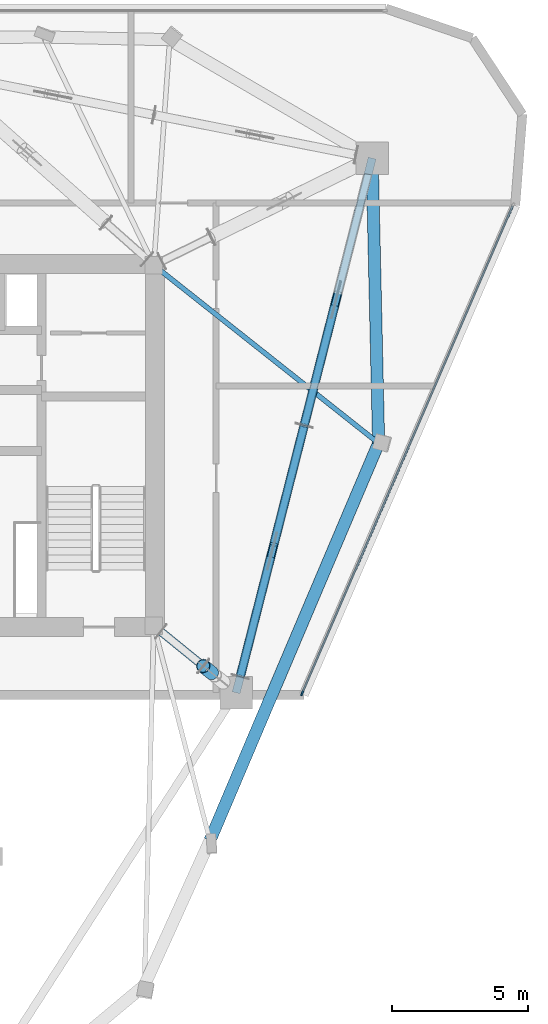
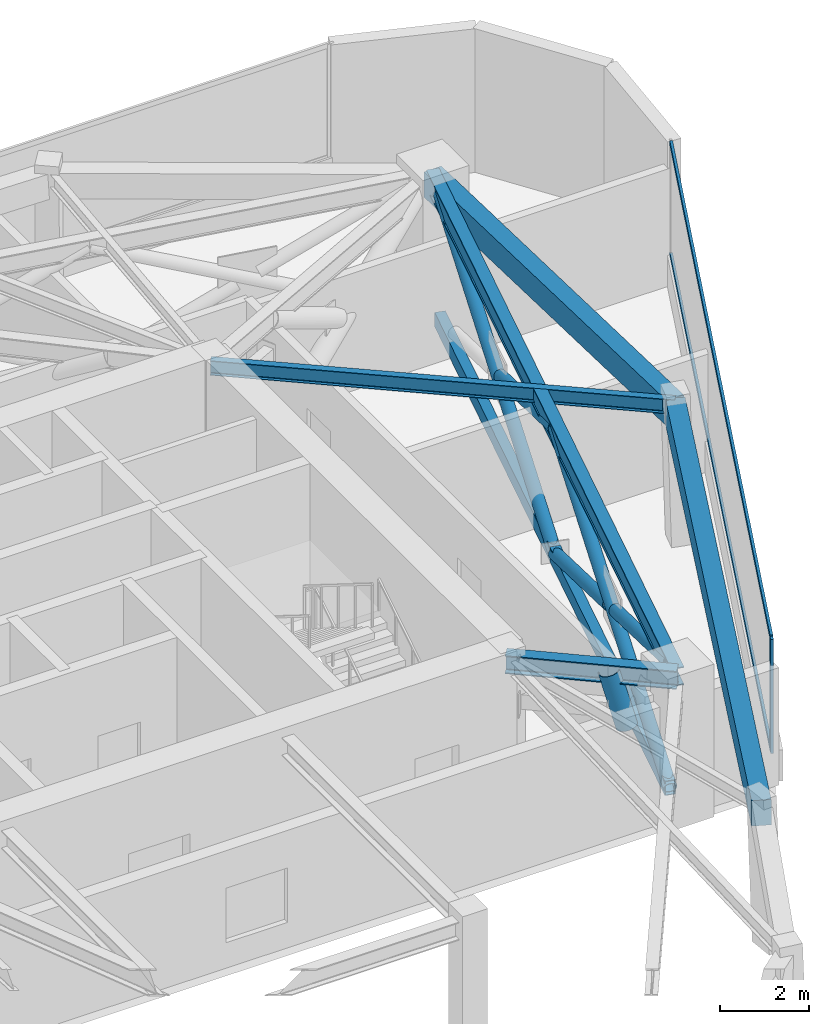
# One storey, part 3 of 9: 13 members, 5 beams, 1 element without a shape of its own.
"""IFC4 building model written with IfcOpenShell, lengths in metres."""

from ifc_helpers import new_model, si_unit, direction, frame, origin, origin_2d, place, context, subcontext, project, spatial, rectangle, hollow_rectangle, hollow_circle, i_section, extrude, material, layer, layer_set, material_profile, profile_set, type_object, element, aggregate, save


model = new_model("IFC4")

# Units and contexts
model_context = context("Model", 3, precision=1e-05, world=origin(), true_north=direction((0.0, 1.0)))
body_context = subcontext(model_context, "Body", "Model", "MODEL_VIEW")
ifc_project = project(units=[si_unit("LENGTHUNIT", "METRE"), si_unit("AREAUNIT", "SQUARE_METRE"), si_unit("VOLUMEUNIT", "CUBIC_METRE"), si_unit("PLANEANGLEUNIT", "RADIAN"), si_unit("MASSUNIT", "GRAM", prefix="KILO")], contexts=[model_context])

# Site, building, storey
site_placement = place(None, origin())
site = spatial("IfcSite", under=ifc_project, at=site_placement, CompositionType="ELEMENT")
building_placement = place(site_placement, origin())
building = spatial("IfcBuilding", under=site, at=building_placement, Name="Talyreon Biosciences Tower", CompositionType="ELEMENT")
storey_placement = place(building_placement, frame((0.0, 0.0, 279.60009765625)))
storey = spatial("IfcBuildingStorey", under=building, at=storey_placement, Name="L74", CompositionType="ELEMENT", Elevation=279.60009765625)

# Members
ifc_material_1 = material(Name="Steel SM355", Category="steel")
ifc_material_profile_1 = material_profile(ifc_material_1, hollow_rectangle(XDim=0.25, YDim=0.39990234375, WallThickness=0.01611328125, at=origin_2d()), Name="RHS 400x250x16")
ifc_profile_set_1 = profile_set([ifc_material_profile_1], Name="Steel SM355")
member_type_1 = type_object("IfcMemberType", Name="BeltChord_RHS400x250", PredefinedType="CHORD", material=ifc_profile_set_1)
for number, where, z_axis, x_axis, name in (
    (1, (77.236572265625, 59.4716796875, 0.239990234375), (0.246540216186, 0.969132561522, 0.0), (-0.969132561522, 0.246540216186, 0.0), "L74 Truss Bottom Chord BELT-L74-B2S1"),
    (2, (77.236572265625, 59.4716796875, 3.699951171875), (0.246540216186, 0.969132561522, 0.0), (-0.969132561522, 0.246540216186, 0.0), "L74 Truss Top Chord BELT-L74-B2S1"),
):
    element("IfcMember", number, at=place(storey_placement, frame(where, z_axis=z_axis, x_axis=x_axis)), inside=storey, type_object=member_type_1, Name=name, PredefinedType="CHORD", context=body_context, shape_type="SweptSolid", body=[
        extrude(hollow_rectangle(XDim=0.25, YDim=0.39990234375, WallThickness=0.01611328125, at=origin_2d()), origin(), (0.0, 0.0, 1.0), 9.56298828125),
    ])
for number, where, z_axis, x_axis, name in (
    (3, (79.59423828125, 68.739501953125, 0.239990234375), (0.246534116519, 0.969134113213, 0.0), (-0.969134113213, 0.246534116519, 0.0), "L74 Truss Bottom Chord BELT-L74-B2S2"),
    (4, (79.59423828125, 68.739501953125, 3.699951171875), (0.246534116519, 0.969134113213, 0.0), (-0.969134113213, 0.246534116519, 0.0), "L74 Truss Top Chord BELT-L74-B2S2"),
):
    element("IfcMember", number, at=place(storey_placement, frame(where, z_axis=z_axis, x_axis=x_axis)), inside=storey, type_object=member_type_1, Name=name, PredefinedType="CHORD", context=body_context, shape_type="SweptSolid", body=[
        extrude(hollow_rectangle(XDim=0.25, YDim=0.39990234375, WallThickness=0.01611328125, at=origin_2d()), origin(), (0.0, 0.0, 1.0), 9.563232421875),
    ])

# Curtain wall, members
ifc_material_2 = material(Name="Thermally broken aluminium and low-E glazing", Category="aluminium")
ifc_layer = layer(ifc_material_2, 0.175048828125)
ifc_layer_set = layer_set([ifc_layer], Name="Thermally broken aluminium and low-E glazing")
curtain_wall_type = type_object("IfcCurtainWallType", Name="CurtainWall_Zone5CompLab", PredefinedType="NOTDEFINED", material=ifc_layer_set)
curtain_wall_placement = place(storey_placement, origin())
curtain_wall = element("IfcCurtainWall", 5, at=curtain_wall_placement, inside=storey, type_object=curtain_wall_type, Name="L74 Unitised Curtain Wall FCW-L74-07", PredefinedType="NOTDEFINED")
ifc_material_3 = material(Name="Anodised thermally broken aluminium", Category="aluminium")
ifc_material_profile_2 = material_profile(ifc_material_3, rectangle(XDim=0.06494140625, YDim=0.179931640625, at=origin_2d()), Name="ALUM MULLION 65x180")
ifc_profile_set_2 = profile_set([ifc_material_profile_2], Name="Anodised thermally broken aluminium")
member_type_2 = type_object("IfcMemberType", Name="CWMullion_65x180", PredefinedType="MULLION", material=ifc_profile_set_2)
member_1_placement = place(storey_placement, frame((79.52197265625, 58.861572265625, 0.809814453125), z_axis=(0.0, 0.0, 1.0), x_axis=(0.918021763475, -0.396530001116, 0.0)))
member_1 = element("IfcMember", 6, at=member_1_placement, type_object=member_type_2, Name="CW6 mullion 2", PredefinedType="MULLION", context=body_context, shape_type="SweptSolid", body=[
    extrude(rectangle(XDim=0.06494140625, YDim=0.179931640625, at=origin_2d()), origin(), (0.0, 0.0, 1.0), 3.14013671875),
])
ifc_material_profile_3 = material_profile(ifc_material_3, rectangle(XDim=0.06494140625, YDim=0.139892578125, at=origin_2d()), Name="ALUM TRANSOM 65x140")
ifc_profile_set_3 = profile_set([ifc_material_profile_3], Name="Anodised thermally broken aluminium")
member_type_3 = type_object("IfcMemberType", Name="CWTransom_65x140", PredefinedType="USERDEFINED", material=ifc_profile_set_3)
member_2_placement = place(storey_placement, frame((87.2822265625, 76.827392578125, 0.84228515625), z_axis=(-0.396531280855, -0.918021210705, 0.0), x_axis=(0.918021210705, -0.396531280855, 0.0)))
member_2 = element("IfcMember", 7, at=member_2_placement, type_object=member_type_3, Name="CW6 transom 1.1", ObjectType="TRANSOM", PredefinedType="USERDEFINED", context=body_context, shape_type="SweptSolid", body=[
    extrude(rectangle(XDim=0.06494140625, YDim=0.139892578125, at=origin_2d()), origin(), (0.0, 0.0, 1.0), 19.53759765625),
])
member_3_placement = place(storey_placement, frame((87.2822265625, 76.827392578125, 3.91748046875), z_axis=(-0.396531280855, -0.918021210705, 0.0), x_axis=(0.918021210705, -0.396531280855, 0.0)))
member_3 = element("IfcMember", 8, at=member_3_placement, type_object=member_type_3, Name="CW6 transom 1.2", ObjectType="TRANSOM", PredefinedType="USERDEFINED", context=body_context, shape_type="SweptSolid", body=[
    extrude(rectangle(XDim=0.06494140625, YDim=0.139892578125, at=origin_2d()), origin(), (0.0, 0.0, 1.0), 19.53759765625),
])
aggregate(curtain_wall, [member_1, member_2, member_3])

# Beams
ifc_material_4 = material(Name="Precast concrete C45/55", Category="concrete")
ifc_material_profile_4 = material_profile(ifc_material_4, rectangle(XDim=0.449951171875, YDim=0.699951171875, at=origin_2d()), Name="RCB 450x700")
ifc_profile_set_4 = profile_set([ifc_material_profile_4], Name="Precast concrete C45/55")
beam_type_1 = type_object("IfcBeamType", Name="ExpressedSpandrel_450x700", PredefinedType="SPANDREL", material=ifc_profile_set_4)
beam_1_placement = place(storey_placement, frame((76.12060546875, 53.43310546875, 3.599853515625), z_axis=(0.390758621241, 0.920493182987, 0.0), x_axis=(-0.920493182987, 0.390758621241, 0.0)))
element("IfcBeam", 9, at=beam_1_placement, inside=storey, type_object=beam_type_1, Name="L74 Expressed Horizontal Concrete Spandrel 03", PredefinedType="SPANDREL", context=body_context, shape_type="SweptSolid", body=[
    extrude(rectangle(XDim=0.449951171875, YDim=0.699951171875, at=origin_2d()), origin(), (0.0, 0.0, 1.0), 15.915771484375),
])
beam_2_placement = place(storey_placement, frame((82.33984375, 68.08349609375, 3.599853515625), z_axis=(-0.022585368128, 0.99974491804, 0.0), x_axis=(-0.99974491804, -0.022585368128, 0.0)))
element("IfcBeam", 10, at=beam_2_placement, inside=storey, type_object=beam_type_1, Name="L74 Expressed Horizontal Concrete Spandrel 04", PredefinedType="SPANDREL", context=body_context, shape_type="SweptSolid", body=[
    extrude(rectangle(XDim=0.449951171875, YDim=0.699951171875, at=origin_2d()), origin(), (0.0, 0.0, 1.0), 10.517822265625),
])

# Members
ifc_material_profile_5 = material_profile(ifc_material_1, hollow_circle(Radius=0.25390625, WallThickness=0.02001953125, at=origin_2d()), Name="CHS 508x20")
ifc_profile_set_5 = profile_set([ifc_material_profile_5], Name="Steel SM355")
member_type_4 = type_object("IfcMemberType", Name="OutriggerBrace_CHS508", PredefinedType="BRACE", material=ifc_profile_set_5)
member_4_placement = place(storey_placement, frame((76.185302734375, 59.613037109375, 2.23974609375), z_axis=(-0.206151246897, 0.167790029727, 0.9640270584), x_axis=(-0.631254433436, -0.77557581207, 0.0)))
element("IfcMember", 11, at=member_4_placement, inside=storey, type_object=member_type_4, Name="L74 Split Diagonal OUT-L74-R2B-Upper", PredefinedType="BRACE", context=body_context, shape_type="SweptSolid", body=[
    extrude(hollow_circle(Radius=0.25390625, WallThickness=0.02001953125, at=origin_2d()), origin(), (0.0, 0.0, 1.0), 1.5146484375),
])
ifc_material_profile_6 = material_profile(ifc_material_1, hollow_circle(Radius=0.161865234375, WallThickness=0.012451171875, at=origin_2d()), Name="CHS 323.9x12.5")
ifc_profile_set_6 = profile_set([ifc_material_profile_6], Name="Steel SM355")
member_type_5 = type_object("IfcMemberType", Name="PortalBrace_CHS324", PredefinedType="BRACE", material=ifc_profile_set_6)
member_5_placement = place(storey_placement, frame((77.236572265625, 59.4716796875, 0.239990234375), z_axis=(0.231832797709, 0.91131871532, 0.340223093004), x_axis=(-0.969132561522, 0.246540216186, 0.0)))
element("IfcMember", 12, at=member_5_placement, inside=storey, type_object=member_type_5, Name="L74 Continuous Diagonal BELT-L74-B2S1A", PredefinedType="BRACE", context=body_context, shape_type="SweptSolid", body=[
    extrude(hollow_circle(Radius=0.161865234375, WallThickness=0.012451171875, at=origin_2d()), origin(), (0.0, 0.0, 1.0), 10.169677734375),
])
for number, where, z_axis, x_axis, name in (
    (13, (79.59423828125, 68.739501953125, 0.239990234375), (-0.231858014336, -0.911324454771, 0.340190533855), (0.969126525057, -0.246563943899, 0.0), "L74 Split Diagonal BELT-L74-B2S1B-Lower"),
    (14, (78.3505859375, 63.850341796875, 2.065185546875), (-0.231854006249, -0.911308700872, 0.340235464792), (0.969126525057, -0.246563943899, 0.0), "L74 Split Diagonal BELT-L74-B2S1B-Upper"),
):
    element("IfcMember", number, at=place(storey_placement, frame(where, z_axis=z_axis, x_axis=x_axis)), inside=storey, type_object=member_type_5, Name=name, PredefinedType="BRACE", context=body_context, shape_type="SweptSolid", body=[
        extrude(hollow_circle(Radius=0.161865234375, WallThickness=0.012451171875, at=origin_2d()), origin(), (0.0, 0.0, 1.0), 4.8046875),
    ])
member_6_placement = place(storey_placement, frame((79.59423828125, 68.739501953125, 0.239990234375), z_axis=(0.231827725826, 0.911322784281, 0.34021564983), x_axis=(-0.969134113213, 0.246534116519, 0.0)))
element("IfcMember", 15, at=member_6_placement, inside=storey, type_object=member_type_5, Name="L74 Continuous Diagonal BELT-L74-B2S2A", PredefinedType="BRACE", context=body_context, shape_type="SweptSolid", body=[
    extrude(hollow_circle(Radius=0.161865234375, WallThickness=0.012451171875, at=origin_2d()), origin(), (0.0, 0.0, 1.0), 10.169921875),
])
member_7_placement = place(storey_placement, frame((80.708251953125, 73.118408203125, 2.065185546875), z_axis=(-0.231843270652, -0.911317313701, 0.340219710779), x_axis=(0.96912980982, -0.246551032683, 0.0)))
element("IfcMember", 16, at=member_7_placement, inside=storey, type_object=member_type_5, Name="L74 Split Diagonal BELT-L74-B2S2B-Upper", PredefinedType="BRACE", context=body_context, shape_type="SweptSolid", body=[
    extrude(hollow_circle(Radius=0.161865234375, WallThickness=0.012451171875, at=origin_2d()), origin(), (0.0, 0.0, 1.0), 4.804931640625),
])

# Beams
ifc_material_profile_7 = material_profile(ifc_material_1, i_section(OverallWidth=0.300048828125, OverallDepth=0.5, WebThickness=0.014404296875, FlangeThickness=0.028076171875, FilletRadius=0.027099609375, at=origin_2d()), Name="HE500B")
ifc_profile_set_7 = profile_set([ifc_material_profile_7], Name="Steel SM355")
beam_type_2 = type_object("IfcBeamType", Name="SteelBeam_HE500B", PredefinedType="BEAM", material=ifc_profile_set_7)
beam_3_placement = place(storey_placement, frame((77.086181640625, 58.88037109375, 3.699951171875), z_axis=(0.246537082299, 0.969133358755, 0.0), x_axis=(-0.969133358755, 0.246537082299, 0.0)))
element("IfcBeam", 17, at=beam_3_placement, inside=storey, type_object=beam_type_2, Name="L74 Mega-Ring Girder 2", PredefinedType="BEAM", context=body_context, shape_type="SweptSolid", body=[
    extrude(i_section(OverallWidth=0.300048828125, OverallDepth=0.5, WebThickness=0.014404296875, FlangeThickness=0.028076171875, FilletRadius=0.027099609375, at=origin_2d()), origin(), (0.0, 0.0, 1.0), 20.34619140625),
])
beam_4_placement = place(storey_placement, frame((74.050048828125, 61.35009765625, 3.699951171875), z_axis=(0.775755154013, -0.631034025249, 0.0), x_axis=(0.631034025249, 0.775755154013, 0.0)))
element("IfcBeam", 18, at=beam_4_placement, inside=storey, type_object=beam_type_2, Name="L74 Radial Primary Girder 2", PredefinedType="BEAM", context=body_context, shape_type="SweptSolid", body=[
    extrude(i_section(OverallWidth=0.300048828125, OverallDepth=0.5, WebThickness=0.014404296875, FlangeThickness=0.028076171875, FilletRadius=0.027099609375, at=origin_2d()), origin(), (0.0, 0.0, 1.0), 3.913818359375),
])
ifc_material_profile_8 = material_profile(ifc_material_1, i_section(OverallWidth=0.179931640625, OverallDepth=0.39990234375, WebThickness=0.008544921875, FlangeThickness=0.013427734375, FilletRadius=0.02099609375, at=origin_2d()), Name="IPE400")
ifc_profile_set_8 = profile_set([ifc_material_profile_8], Name="Steel SM355")
beam_type_3 = type_object("IfcBeamType", Name="SteelJoist_IPE400", PredefinedType="JOIST", material=ifc_profile_set_8)
beam_5_placement = place(storey_placement, frame((74.050048828125, 74.64990234375, 3.75), z_axis=(0.783877740098, -0.620915202406, 0.0), x_axis=(0.620915202406, 0.783877740098, 0.0)))
element("IfcBeam", 19, at=beam_5_placement, inside=storey, type_object=beam_type_3, Name="L74 Radial Composite Floor Joist PC-SE2", PredefinedType="JOIST", context=body_context, shape_type="SweptSolid", body=[
    extrude(i_section(OverallWidth=0.179931640625, OverallDepth=0.39990234375, WebThickness=0.008544921875, FlangeThickness=0.013427734375, FilletRadius=0.02099609375, at=origin_2d()), origin(), (0.0, 0.0, 1.0), 10.575439453125),
])

save(model, "model.ifc")
